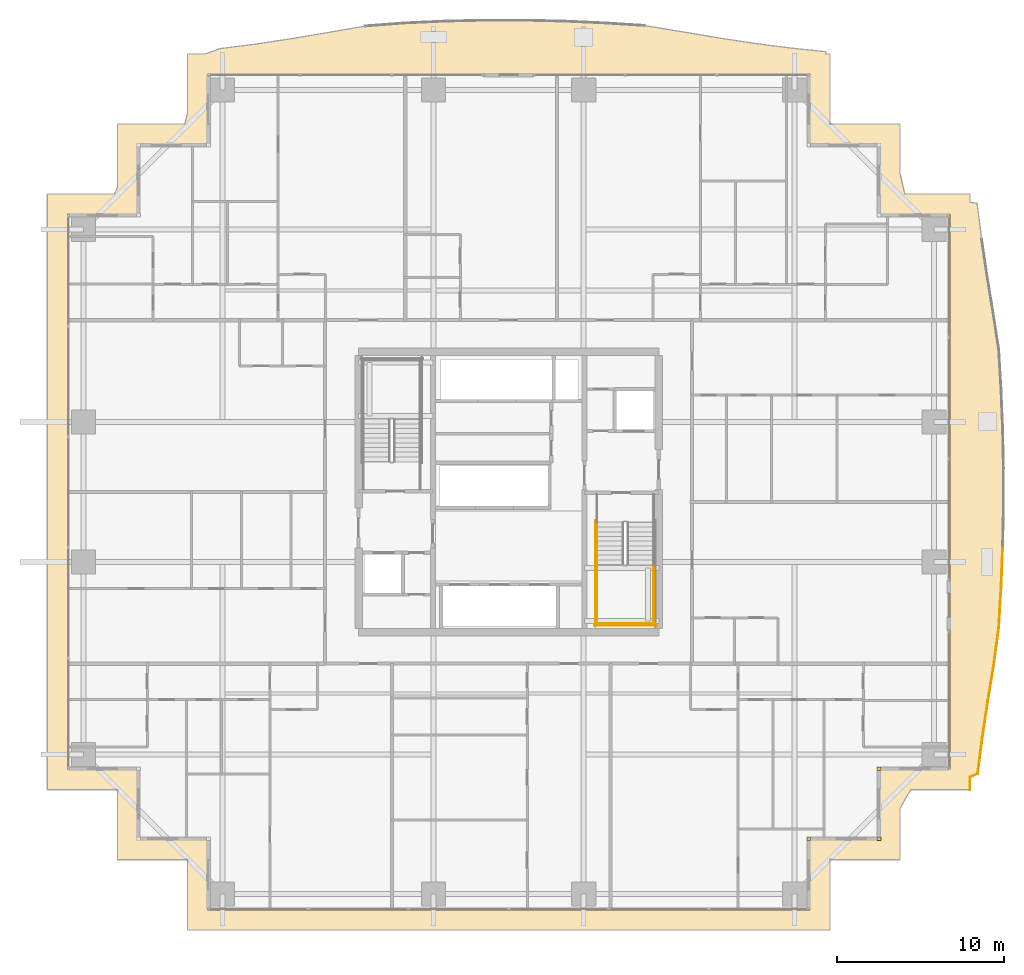
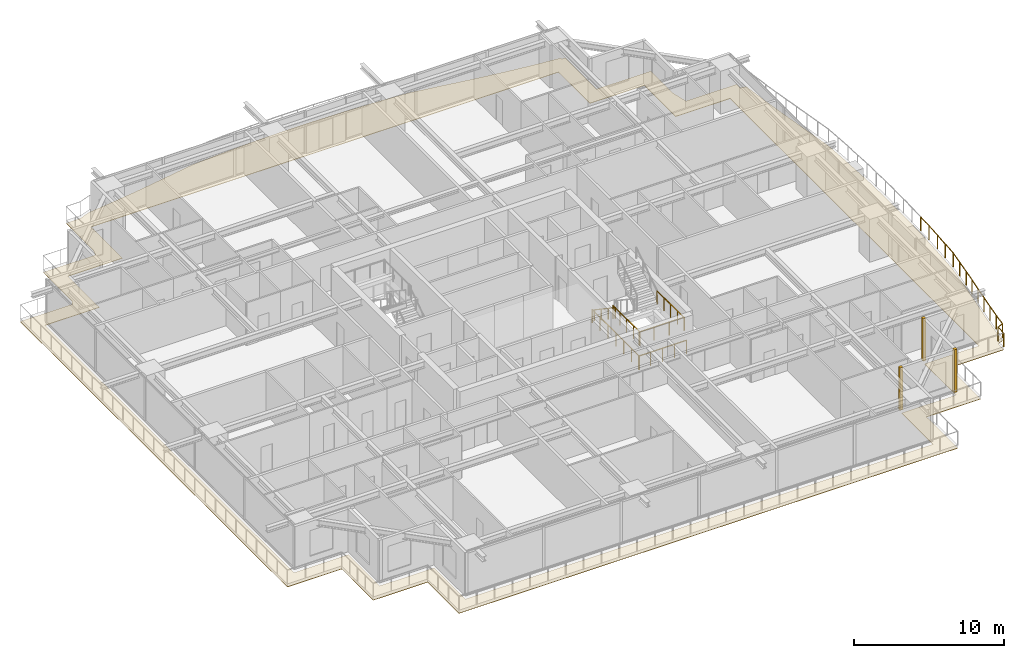
# One storey, part 36 of 38: 7 railings, 4 coverings.
"""IFC4 building model written with IfcOpenShell, lengths in metres."""

from ifc_helpers import new_model, si_unit, direction, frame, origin, origin_2d, place, context, subcontext, project, spatial, polyline, rectangle, circle, outline, extrude, source, transform, mapped, material, layer, layer_set, type_object, element, save


model = new_model("IFC4")

# Units and contexts
model_context = context("Model", 3, precision=1e-05, world=origin(), true_north=direction((0.0, 1.0)))
body_context = subcontext(model_context, "Body", "Model", "MODEL_VIEW")
ifc_project = project(units=[si_unit("LENGTHUNIT", "METRE"), si_unit("AREAUNIT", "SQUARE_METRE"), si_unit("VOLUMEUNIT", "CUBIC_METRE"), si_unit("PLANEANGLEUNIT", "RADIAN"), si_unit("MASSUNIT", "GRAM", prefix="KILO")], contexts=[model_context])

# Site, building, storey
site_placement = place(None, origin())
site = spatial("IfcSite", under=ifc_project, at=site_placement, CompositionType="ELEMENT")
building_placement = place(site_placement, origin())
building = spatial("IfcBuilding", under=site, at=building_placement, Name="Serunith Strait Residences", CompositionType="ELEMENT")
storey_placement = place(building_placement, frame((0.0, 0.0, 37.949951171875)))
storey = spatial("IfcBuildingStorey", under=building, at=storey_placement, Name="L08", CompositionType="ELEMENT", Elevation=37.949951171875)

# Covering
ifc_material_1 = material(Name="Golden Teak Exterior Timber Boarding", Category="wood")
ifc_layer_1 = layer(ifc_material_1, 0.034912109375, Name="Golden Teak Exterior Timber Boarding")
ifc_layer_set_1 = layer_set([ifc_layer_1], Name="Golden Teak Exterior Timber Boarding")
covering_type_1 = type_object("IfcCoveringType", Name="COV-TEAK-SOFFIT", PredefinedType="CEILING", material=ifc_layer_set_1)
covering_placement = place(storey_placement, frame((0.0, 0.0, -0.324951171875)))
element("IfcCovering", 1, at=covering_placement, inside=storey, type_object=covering_type_1, Name="L08 Golden-Teak Balcony Soffit Lining", PredefinedType="CEILING", context=body_context, shape_type="SweptSolid", body=[
    extrude(outline(polyline([(12.981689453125, 47.260009765625), (13.139892578125, 47.858154296875), (13.139892578125, 51.4599609375), (14.2080078125, 51.4599609375), (15.104248046875, 51.78173828125), (17.22900390625, 52.05126953125), (19.3740234375, 52.375244140625), (21.556884765625, 52.74365234375), (23.79736328125, 53.130615234375), (26.15087890625, 53.3076171875), (28.543701171875, 53.416748046875), (30.9580078125, 53.473388671875), (33.380126953125, 53.472900390625), (35.79541015625, 53.415771484375), (38.190185546875, 53.307861328125), (40.5546875, 53.158935546875), (42.81103515625, 52.791015625), (45.00341796875, 52.421142578125), (47.1552734375, 52.093017578125), (49.284423828125, 51.817626953125), (51.4052734375, 51.59619140625), (51.404296875, 51.4599609375), (51.659912109375, 51.4599609375), (51.659912109375, 47.260009765625), (55.860107421875, 47.260009765625), (55.860107421875, 44.320068359375), (56.150390625, 43.06005859375), (60.06005859375, 43.06005859375), (60.06005859375, 42.572265625), (60.4833984375, 42.50390625), (60.758544921875, 40.372802734375), (61.080810546875, 38.218505859375), (61.4375, 36.02490234375), (61.787109375, 33.771240234375), (61.92529296875, 31.41650390625), (62.023681640625, 29.033935546875), (62.07421875, 26.633056640625), (62.073486328125, 24.225830078125), (62.021728515625, 21.824462890625), (61.92431640625, 19.4404296875), (61.788330078125, 17.0830078125), (61.480712890625, 14.808837890625), (61.123779296875, 12.606201171875), (60.798583984375, 10.44482421875), (60.519287109375, 8.30908203125), (60.06005859375, 8.097900390625), (60.06005859375, 7.340087890625), (56.494384765625, 7.340087890625), (55.860107421875, 6.227783203125), (55.860107421875, 3.139892578125), (51.659912109375, 3.139892578125), (51.659912109375, -1.06005859375), (13.139892578125, -1.06005859375), (13.139892578125, 3.139892578125), (8.93994140625, 3.139892578125), (8.93994140625, 7.340087890625), (4.739990234375, 7.340087890625), (4.739990234375, 43.06005859375), (8.7587890625, 43.06005859375), (8.93994140625, 43.457763671875), (8.93994140625, 47.260009765625), (12.981689453125, 47.260009765625)]), holes=[polyline([(50.455078125, 0.14501953125), (50.455078125, 4.344970703125), (54.655029296875, 4.344970703125), (54.655029296875, 8.544921875), (58.85498046875, 8.544921875), (58.85498046875, 41.85498046875), (54.655029296875, 41.85498046875), (54.655029296875, 46.054931640625), (50.455078125, 46.054931640625), (50.455078125, 50.2548828125), (14.344970703125, 50.2548828125), (14.344970703125, 46.054931640625), (10.14501953125, 46.054931640625), (10.14501953125, 41.85498046875), (5.945068359375, 41.85498046875), (5.945068359375, 8.544921875), (10.14501953125, 8.544921875), (10.14501953125, 4.344970703125), (14.344970703125, 4.344970703125), (14.344970703125, 0.14501953125), (50.455078125, 0.14501953125)])]), origin(), (0.0, 0.0, 1.0), 0.034912109375),
])

# Railings
ifc_material_2 = material(Name="Stainless Steel & Laminated Glass Balustrade", Category="steel")
railing_type_1 = type_object("IfcRailingType", Name="RLG-BALC-1150", PredefinedType="BALUSTRADE", material=ifc_material_2)
railing_1_placement = place(storey_placement, frame((62.021728515625, 21.824462890625, -0.050048828125)))
element("IfcRailing", 2, at=railing_1_placement, inside=storey, type_object=railing_type_1, Name="L08 Swirling Balcony Perimeter Balustrade 6", PredefinedType="BALUSTRADE", context=body_context, shape_type="SweptSolid", body=[
    extrude(circle(Radius=0.02392578125, at=origin_2d()), frame((0.0, -0.001953125, 1.1259765625), z_axis=(-0.040826148472, -0.999166265244, 0.0), x_axis=(0.999166265244, -0.040826148472, 0.0)), (0.0, 0.0, 1.0), 2.382080078125),
    extrude(circle(Radius=0.02392578125, at=origin_2d()), frame((-0.097412109375, -2.385986328125, 1.1259765625), z_axis=(-0.057588608349, -0.998340398956, 0.0), x_axis=(0.998340398956, -0.057588608349, 0.0)), (0.0, 0.0, 1.0), 2.357421875),
    extrude(circle(Radius=0.02392578125, at=origin_2d()), frame((-0.233642578125, -4.743408203125, 1.1259765625), z_axis=(-0.134044961502, -0.990975251102, 0.0), x_axis=(0.990975251102, -0.134044961502, 0.0)), (0.0, 0.0, 1.0), 2.290771484375),
    extrude(circle(Radius=0.02392578125, at=origin_2d()), frame((-0.541259765625, -7.017578125, 1.1259765625), z_axis=(-0.15996166679, -0.987123226937, 0.0), x_axis=(0.987123226937, -0.15996166679, 0.0)), (0.0, 0.0, 1.0), 2.227294921875),
    extrude(circle(Radius=0.02392578125, at=origin_2d()), frame((-0.898193359375, -9.22021484375, 1.1259765625), z_axis=(-0.148782863835, -0.988869890041, 0.0), x_axis=(0.988869890041, -0.148782863835, 0.0)), (0.0, 0.0, 1.0), 2.181640625),
    extrude(circle(Radius=0.02392578125, at=origin_2d()), frame((-1.223388671875, -11.381591796875, 1.1259765625), z_axis=(-0.129668683095, -0.991557377374, 0.0), x_axis=(0.991557377374, -0.129668683095, 0.0)), (0.0, 0.0, 1.0), 2.14990234375),
    extrude(circle(Radius=0.02392578125, at=origin_2d()), frame((-1.504150390625, -13.51611328125, 1.1259765625), z_axis=(-0.908538125671, -0.417801955718, 0.0), x_axis=(0.417801955718, -0.908538125671, 0.0)), (0.0, 0.0, 1.0), 0.50146484375),
    extrude(circle(Radius=0.02392578125, at=origin_2d()), frame((-1.961669921875, -13.728515625, 1.1259765625), z_axis=(0.0, -1.0, 0.0), x_axis=(1.0, 0.0, 0.0)), (0.0, 0.0, 1.0), 0.75390625),
    extrude(circle(Radius=0.02099609375, at=origin_2d()), origin(), (0.0, 0.0, 1.0), 1.099853515625),
    extrude(circle(Radius=0.02099609375, at=origin_2d()), frame((-0.048828125, -1.19189453125, 0.0)), (0.0, 0.0, 1.0), 1.099853515625),
    extrude(circle(Radius=0.02099609375, at=origin_2d()), frame((-0.097412109375, -2.384033203125, 0.0)), (0.0, 0.0, 1.0), 1.099853515625),
    extrude(circle(Radius=0.02099609375, at=origin_2d()), frame((-0.16552734375, -3.562744140625, 0.0)), (0.0, 0.0, 1.0), 1.099853515625),
    extrude(circle(Radius=0.02099609375, at=origin_2d()), frame((-0.2333984375, -4.741455078125, 0.0)), (0.0, 0.0, 1.0), 1.099853515625),
    extrude(circle(Radius=0.02099609375, at=origin_2d()), frame((-0.38720703125, -5.87841796875, 0.0)), (0.0, 0.0, 1.0), 1.099853515625),
    extrude(circle(Radius=0.02099609375, at=origin_2d()), frame((-0.541015625, -7.015625, 0.0)), (0.0, 0.0, 1.0), 1.099853515625),
    extrude(circle(Radius=0.02099609375, at=origin_2d()), frame((-0.719482421875, -8.116943359375, 0.0)), (0.0, 0.0, 1.0), 1.099853515625),
    extrude(circle(Radius=0.02099609375, at=origin_2d()), frame((-0.89794921875, -9.21826171875, 0.0)), (0.0, 0.0, 1.0), 1.099853515625),
    extrude(circle(Radius=0.02099609375, at=origin_2d()), frame((-1.060546875, -10.298828125, 0.0)), (0.0, 0.0, 1.0), 1.099853515625),
    extrude(circle(Radius=0.02099609375, at=origin_2d()), frame((-1.22314453125, -11.379638671875, 0.0)), (0.0, 0.0, 1.0), 1.099853515625),
    extrude(circle(Radius=0.02099609375, at=origin_2d()), frame((-1.36279296875, -12.447509765625, 0.0)), (0.0, 0.0, 1.0), 1.099853515625),
    extrude(circle(Radius=0.02099609375, at=origin_2d()), frame((-1.50244140625, -13.515380859375, 0.0)), (0.0, 0.0, 1.0), 1.099853515625),
    extrude(circle(Radius=0.02099609375, at=origin_2d()), frame((-1.961669921875, -13.7265625, 0.0)), (0.0, 0.0, 1.0), 1.099853515625),
    extrude(circle(Radius=0.02099609375, at=origin_2d()), frame((-1.961669921875, -14.484375, 0.0)), (0.0, 0.0, 1.0), 1.099853515625),
])
ifc_material_3 = material(Name="Brushed stainless steel 316L", Category="steel")
railing_type_2 = type_object("IfcRailingType", Name="RLG-STAIR-GUARD", PredefinedType="BALUSTRADE", material=ifc_material_3)
for number, where, name in (
    (3, (37.699951171875, 20.85009765625, 1.875), "L08 ST-2 stair guard 3"),
    (4, (41.10009765625, 20.85009765625, 1.875), "L08 ST-2 stair guard 4"),
):
    element("IfcRailing", number, at=place(storey_placement, frame(where)), inside=storey, type_object=railing_type_2, Name=name, PredefinedType="BALUSTRADE", context=body_context, shape_type="SweptSolid", body=[
        extrude(circle(Radius=0.02392578125, at=origin_2d()), frame((0.0, -0.001953125, 1.076171875), z_axis=(0.0, -1.0, 0.0), x_axis=(1.0, 0.0, 0.0)), (0.0, 0.0, 1.0), 3.59619140625),
        extrude(circle(Radius=0.02099609375, at=origin_2d()), origin(), (0.0, 0.0, 1.0), 1.050048828125),
        extrude(circle(Radius=0.02099609375, at=origin_2d()), frame((0.0, -0.89990234375, 0.0)), (0.0, 0.0, 1.0), 1.050048828125),
        extrude(circle(Radius=0.02099609375, at=origin_2d()), frame((0.0, -1.800048828125, 0.0)), (0.0, 0.0, 1.0), 1.050048828125),
        extrude(circle(Radius=0.02099609375, at=origin_2d()), frame((0.0, -2.7001953125, 0.0)), (0.0, 0.0, 1.0), 1.050048828125),
        extrude(circle(Radius=0.02099609375, at=origin_2d()), frame((0.0, -3.60009765625, 0.0)), (0.0, 0.0, 1.0), 1.050048828125),
    ])
railing_2_placement = place(storey_placement, frame((37.64990234375, 17.300048828125, 1.875)))
element("IfcRailing", 5, at=railing_2_placement, inside=storey, type_object=railing_type_2, Name="L08 ST-2 stair guard 5", PredefinedType="BALUSTRADE", context=body_context, shape_type="SweptSolid", body=[
    extrude(circle(Radius=0.02392578125, at=origin_2d()), frame((0.001953125, 0.0, 1.076171875), z_axis=(1.0, 0.0, 0.0), x_axis=(0.0, 1.0, 0.0)), (0.0, 0.0, 1.0), 3.49609375),
    extrude(circle(Radius=0.02099609375, at=origin_2d()), origin(), (0.0, 0.0, 1.0), 1.050048828125),
    extrude(circle(Radius=0.02099609375, at=origin_2d()), frame((1.166748046875, 0.0, 0.0)), (0.0, 0.0, 1.0), 1.050048828125),
    extrude(circle(Radius=0.02099609375, at=origin_2d()), frame((2.333251953125, 0.0, 0.0)), (0.0, 0.0, 1.0), 1.050048828125),
    extrude(circle(Radius=0.02099609375, at=origin_2d()), frame((3.5, 0.0, 0.0)), (0.0, 0.0, 1.0), 1.050048828125),
])
railing_3_placement = place(storey_placement, frame((37.60009765625, 23.469970703125, 0.0)))
element("IfcRailing", 6, at=railing_3_placement, inside=storey, type_object=railing_type_2, Name="L08 ST-2 stair guard 10", PredefinedType="BALUSTRADE", context=body_context, shape_type="SweptSolid", body=[
    extrude(circle(Radius=0.02392578125, at=origin_2d()), frame((0.0, -0.001953125, 1.076171875), z_axis=(0.0, -1.0, 0.0), x_axis=(1.0, 0.0, 0.0)), (0.0, 0.0, 1.0), 6.316162109375),
    extrude(circle(Radius=0.02099609375, at=origin_2d()), origin(), (0.0, 0.0, 1.0), 1.050048828125),
    extrude(circle(Radius=0.02099609375, at=origin_2d()), frame((0.0, -1.05322265625, 0.0)), (0.0, 0.0, 1.0), 1.050048828125),
    extrude(circle(Radius=0.02099609375, at=origin_2d()), frame((0.0, -2.106689453125, 0.0)), (0.0, 0.0, 1.0), 1.050048828125),
    extrude(circle(Radius=0.02099609375, at=origin_2d()), frame((0.0, -3.16015625, 0.0)), (0.0, 0.0, 1.0), 1.050048828125),
    extrude(circle(Radius=0.02099609375, at=origin_2d()), frame((0.0, -4.21337890625, 0.0)), (0.0, 0.0, 1.0), 1.050048828125),
    extrude(circle(Radius=0.02099609375, at=origin_2d()), frame((0.0, -5.2666015625, 0.0)), (0.0, 0.0, 1.0), 1.050048828125),
    extrude(circle(Radius=0.02099609375, at=origin_2d()), frame((0.0, -6.320068359375, 0.0)), (0.0, 0.0, 1.0), 1.050048828125),
])
railing_4_placement = place(storey_placement, frame((37.550048828125, 17.199951171875, 0.0)))
element("IfcRailing", 7, at=railing_4_placement, inside=storey, type_object=railing_type_2, Name="L08 ST-2 stair guard 12", PredefinedType="BALUSTRADE", context=body_context, shape_type="SweptSolid", body=[
    extrude(circle(Radius=0.02392578125, at=origin_2d()), frame((0.001953125, 0.0, 1.076171875), z_axis=(1.0, 0.0, 0.0), x_axis=(0.0, 1.0, 0.0)), (0.0, 0.0, 1.0), 3.696044921875),
    extrude(circle(Radius=0.02099609375, at=origin_2d()), origin(), (0.0, 0.0, 1.0), 1.050048828125),
    extrude(circle(Radius=0.02099609375, at=origin_2d()), frame((0.925048828125, 0.0, 0.0)), (0.0, 0.0, 1.0), 1.050048828125),
    extrude(circle(Radius=0.02099609375, at=origin_2d()), frame((1.85009765625, 0.0, 0.0)), (0.0, 0.0, 1.0), 1.050048828125),
    extrude(circle(Radius=0.02099609375, at=origin_2d()), frame((2.77490234375, 0.0, 0.0)), (0.0, 0.0, 1.0), 1.050048828125),
    extrude(circle(Radius=0.02099609375, at=origin_2d()), frame((3.699951171875, 0.0, 0.0)), (0.0, 0.0, 1.0), 1.050048828125),
])
railing_type_3 = type_object("IfcRailingType", Name="RLG-STAIR-HR", PredefinedType="HANDRAIL", material=ifc_material_3)
railing_5_placement = place(storey_placement, frame((37.699951171875, 23.3701171875, 0.1875)))
element("IfcRailing", 8, at=railing_5_placement, inside=storey, type_object=railing_type_3, Name="L08 ST-2 stair handrail 1", PredefinedType="HANDRAIL", context=body_context, shape_type="SweptSolid", body=[
    extrude(circle(Radius=0.02392578125, at=origin_2d()), frame((0.0, -0.001708984375, 0.876953125), z_axis=(0.0, -0.830208209119, 0.557453432594), x_axis=(1.0, 0.0, 0.0)), (0.0, 0.0, 1.0), 3.36865234375),
    extrude(circle(Radius=0.02099609375, at=origin_2d()), origin(), (0.0, 0.0, 1.0), 0.849853515625),
    extrude(circle(Radius=0.02099609375, at=origin_2d()), frame((0.0, -0.933349609375, 0.626708984375)), (0.0, 0.0, 1.0), 0.849853515625),
    extrude(circle(Radius=0.02099609375, at=origin_2d()), frame((0.0, -1.86669921875, 1.25341796875)), (0.0, 0.0, 1.0), 0.849853515625),
    extrude(circle(Radius=0.02099609375, at=origin_2d()), frame((0.0, -2.800048828125, 1.880126953125)), (0.0, 0.0, 1.0), 0.849853515625),
])

# Coverings
ifc_material_4 = material(Name="Pale-Champagne Anodised Aluminium", Category="aluminium")
ifc_layer_2 = layer(ifc_material_4, 0.219970703125, Name="Pale-Champagne Anodised Aluminium")
ifc_layer_set_2 = layer_set([ifc_layer_2], Name="Pale-Champagne Anodised Aluminium")
covering_type_2 = type_object("IfcCoveringType", Name="COV-CORN-TRIM", PredefinedType="CLADDING", material=ifc_layer_set_2)
shared_shape = source(origin(), body_context, "Body", "SweptSolid", [
    extrude(rectangle(XDim=0.221923828125, YDim=0.221923828125, at=origin_2d()), origin(), (0.0, 0.0, 1.0), 3.47509765625),
])
for number, where, z_axis, x_axis, name in (
    (9, (50.39990234375, 4.39990234375, 0.0), (0.0, 0.0, 1.0), (1.0, 0.0, 0.0), "L08 Girih Serrated Corner Trim Post 02"),
    (10, (54.60009765625, 4.39990234375, 0.0), (0.0, 0.0, 1.0), (1.0, 0.0, 0.0), "L08 Girih Serrated Corner Trim Post 03"),
    (11, (54.60009765625, 8.60009765625, 0.0), (0.0, 0.0, 1.0), (1.0, 0.0, 0.0), "L08 Girih Serrated Corner Trim Post 04"),
):
    element("IfcCovering", number, at=place(storey_placement, frame(where, z_axis=z_axis, x_axis=x_axis)), inside=storey, type_object=covering_type_2, Name=name, PredefinedType="CLADDING", context=body_context, shape_type="MappedRepresentation", body=[
        mapped(shared_shape, transform((0.0, 0.0, 0.0), scale=1.0)),
    ])

save(model, "model.ifc")
